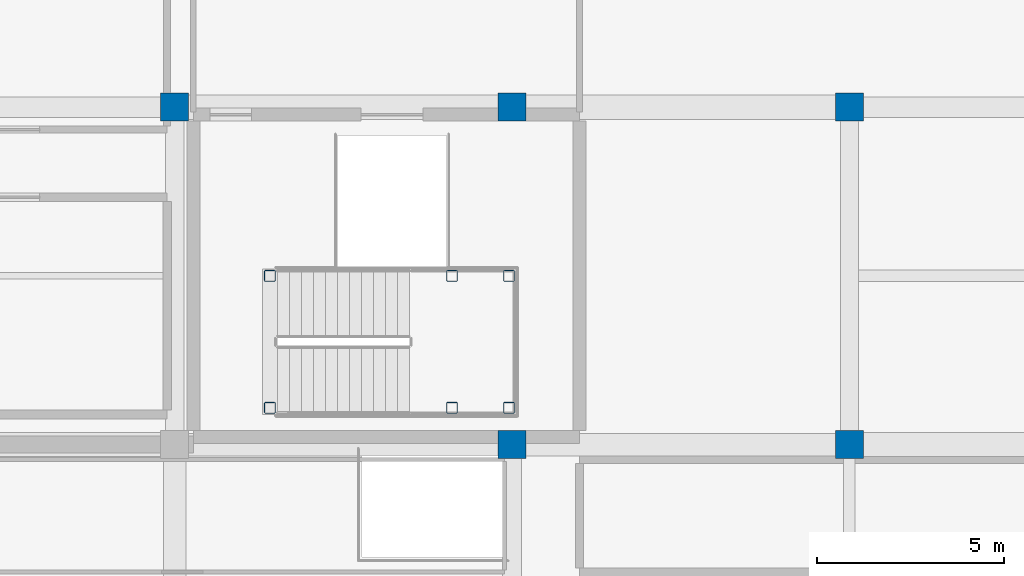
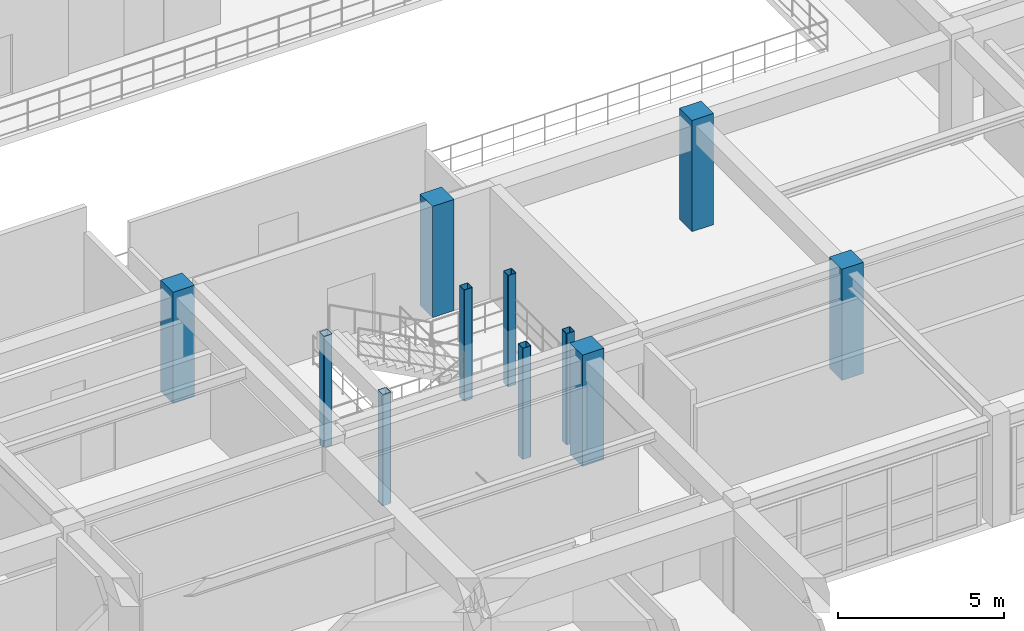
# One storey, part 6 of 130: 11 columns.
"""IFC4 building model written with IfcOpenShell, lengths in metres."""

from ifc_helpers import new_model, si_unit, direction, frame, origin, origin_2d, place, context, subcontext, project, spatial, rectangle, hollow_rectangle, extrude, material, material_profile, profile_set, type_object, element, save


model = new_model("IFC4")

# Units and contexts
model_context = context("Model", 3, precision=1e-05, world=origin(), true_north=direction((0.0, 1.0)))
body_context = subcontext(model_context, "Body", "Model", "MODEL_VIEW")
ifc_project = project(units=[si_unit("LENGTHUNIT", "METRE"), si_unit("AREAUNIT", "SQUARE_METRE"), si_unit("VOLUMEUNIT", "CUBIC_METRE"), si_unit("PLANEANGLEUNIT", "RADIAN"), si_unit("MASSUNIT", "GRAM", prefix="KILO")], contexts=[model_context])

# Site, building, storey
site_placement = place(None, origin())
site = spatial("IfcSite", under=ifc_project, at=site_placement, CompositionType="ELEMENT")
building_placement = place(site_placement, origin())
building = spatial("IfcBuilding", under=site, at=building_placement, Name="Miravela Opera House", CompositionType="ELEMENT")
storey_placement = place(building_placement, frame((0.0, 0.0, 9.52001953125)))
storey = spatial("IfcBuildingStorey", under=building, at=storey_placement, Name="L02", CompositionType="ELEMENT", Elevation=9.52001953125)

# Columns
ifc_material_1 = material(Name="Hollow structural steel ASTM A500 Gr. C", Category="steel")
ifc_material_profile_1 = material_profile(ifc_material_1, hollow_rectangle(XDim=0.300048828125, YDim=0.300048828125, WallThickness=0.01611328125, InnerFilletRadius=0.01611328125, OuterFilletRadius=0.031982421875, at=origin_2d()), Name="HSS300X300X16")
ifc_profile_set_1 = profile_set([ifc_material_profile_1])
column_type_1 = type_object("IfcColumnType", Name="STR-COL-HSS300", PredefinedType="COLUMN", material=ifc_profile_set_1)
for number, where, z_axis, x_axis, name in (
    (1, (110.5400390625, 37.97998046875, 0.0), (0.0, 0.0, 1.0), (1.0, 0.0, 0.0), "Stair K4 Landing Support Column 1 (L02)"),
    (2, (110.5400390625, 41.5, 0.0), (0.0, 0.0, 1.0), (1.0, 0.0, 0.0), "Stair K4 Landing Support Column 2 (L02)"),
    (3, (115.39990234375, 37.97998046875, 0.0), (0.0, 0.0, 1.0), (1.0, 0.0, 0.0), "Stair K4 Landing Support Column 3 (L02)"),
    (4, (115.39990234375, 41.5, 0.0), (0.0, 0.0, 1.0), (1.0, 0.0, 0.0), "Stair K4 Landing Support Column 4 (L02)"),
    (5, (116.919921875, 37.97998046875, 0.0), (0.0, 0.0, 1.0), (1.0, 0.0, 0.0), "Stair K4 Landing Support Column 5 (L02)"),
    (6, (116.919921875, 41.5, 0.0), (0.0, 0.0, 1.0), (1.0, 0.0, 0.0), "Stair K4 Landing Support Column 6 (L02)"),
):
    element("IfcColumn", number, at=place(storey_placement, frame(where, z_axis=z_axis, x_axis=x_axis)), inside=storey, type_object=column_type_1, Name=name, PredefinedType="COLUMN", context=body_context, shape_type="SweptSolid", body=[
        extrude(hollow_rectangle(XDim=0.300048828125, YDim=0.300048828125, WallThickness=0.01611328125, InnerFilletRadius=0.01611328125, OuterFilletRadius=0.031982421875, at=origin_2d()), origin(), (0.0, 0.0, 1.0), 4.080078125),
    ])
ifc_material_2 = material(Name="Concrete C35/45", Category="concrete")
ifc_material_profile_2 = material_profile(ifc_material_2, rectangle(XDim=0.75, YDim=0.75, at=origin_2d()), Name="RC-COL-750X750")
ifc_profile_set_2 = profile_set([ifc_material_profile_2])
column_type_2 = type_object("IfcColumnType", Name="STR-COL-RC750", PredefinedType="COLUMN", material=ifc_profile_set_2)
for number, where, z_axis, x_axis, name in (
    (7, (108.0, 46.0, 0.0), (0.0, 0.0, 1.0), (1.0, 0.0, 0.0), "Column C-13F (L02)"),
    (8, (117.0, 37.0, 0.0), (0.0, 0.0, 1.0), (1.0, 0.0, 0.0), "Column C-14E (L02)"),
    (9, (117.0, 46.0, 0.0), (0.0, 0.0, 1.0), (1.0, 0.0, 0.0), "Column C-14F (L02)"),
    (10, (126.0, 37.0, 0.0), (0.0, 0.0, 1.0), (1.0, 0.0, 0.0), "Column C-15E (L02)"),
    (11, (126.0, 46.0, 0.0), (0.0, 0.0, 1.0), (1.0, 0.0, 0.0), "Column C-15F (L02)"),
):
    element("IfcColumn", number, at=place(storey_placement, frame(where, z_axis=z_axis, x_axis=x_axis)), inside=storey, type_object=column_type_2, Name=name, PredefinedType="COLUMN", context=body_context, shape_type="SweptSolid", body=[
        extrude(rectangle(XDim=0.75, YDim=0.75, at=origin_2d()), origin(), (0.0, 0.0, 1.0), 4.080078125),
    ])

save(model, "model.ifc")
